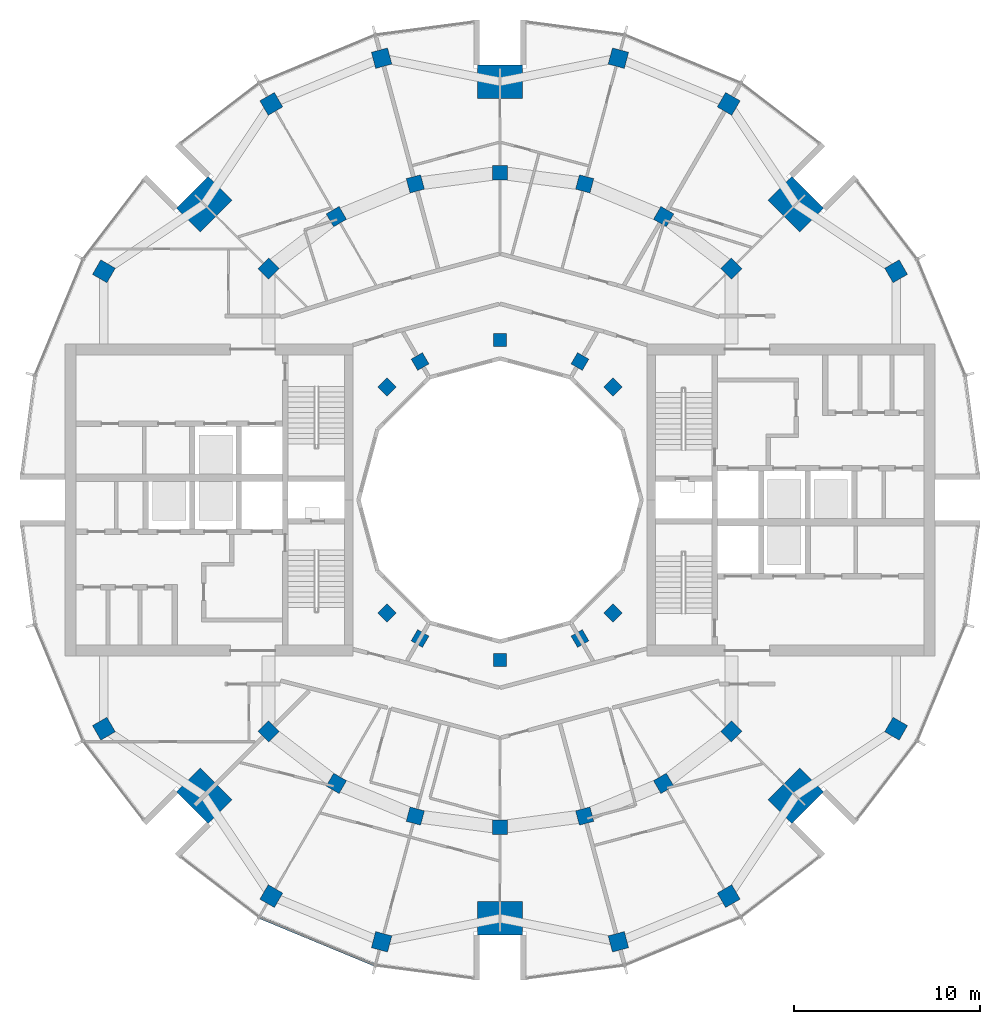
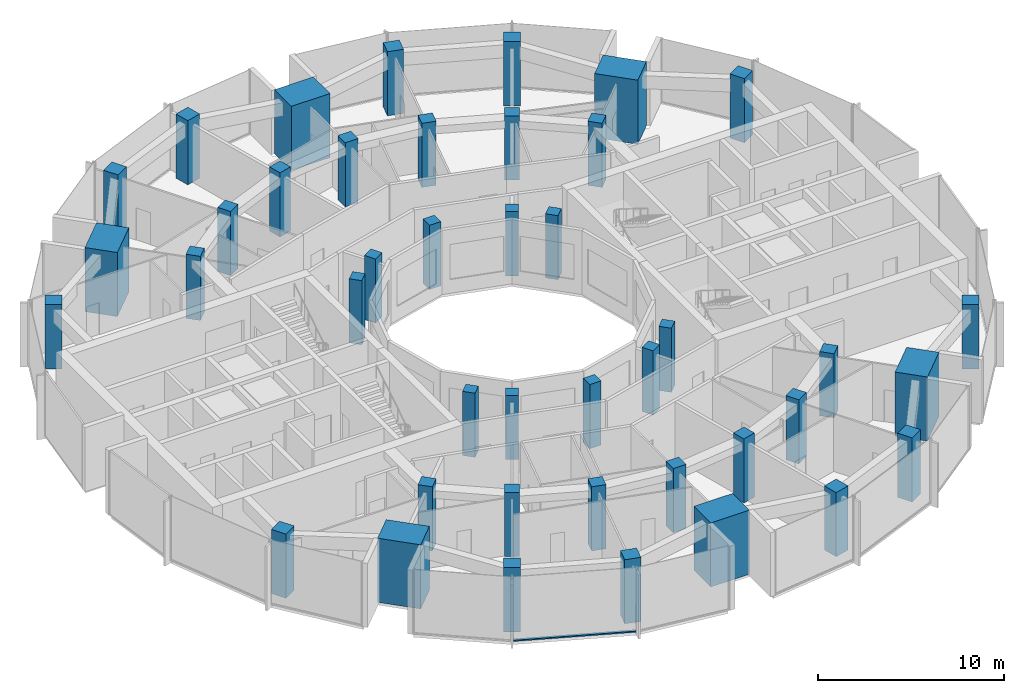
# One storey, part 1 of 15: 42 columns, 1 member, 1 element without a shape of its own.
"""IFC4 building model written with IfcOpenShell, lengths in metres."""

from ifc_helpers import new_model, si_unit, direction, frame, origin, origin_2d, place, context, subcontext, project, spatial, rectangle, extrude, material, layer, layer_set, material_profile, profile_set, type_object, element, aggregate, save


model = new_model("IFC4")

# Units and contexts
model_context = context("Model", 3, precision=1e-05, world=origin(), true_north=direction((0.0, 1.0)))
body_context = subcontext(model_context, "Body", "Model", "MODEL_VIEW")
ifc_project = project(units=[si_unit("LENGTHUNIT", "METRE"), si_unit("AREAUNIT", "SQUARE_METRE"), si_unit("VOLUMEUNIT", "CUBIC_METRE"), si_unit("PLANEANGLEUNIT", "RADIAN"), si_unit("MASSUNIT", "GRAM", prefix="KILO")], contexts=[model_context])

# Site, building, storey
site_placement = place(None, origin())
site = spatial("IfcSite", under=ifc_project, at=site_placement, CompositionType="ELEMENT")
building_placement = place(site_placement, origin())
building = spatial("IfcBuilding", under=site, at=building_placement, Name="Torre Brocal", CompositionType="ELEMENT")
storey_placement = place(building_placement, frame((0.0, 0.0, 249.89990234375)))
storey = spatial("IfcBuildingStorey", under=building, at=storey_placement, Name="L57", CompositionType="ELEMENT", Elevation=249.89990234375)

# Columns
ifc_material_1 = material(Name="Concrete C60", Category="concrete")
ifc_material_profile_1 = material_profile(ifc_material_1, rectangle(XDim=1.800048828125, YDim=2.39990234375, at=origin_2d()), Name="RC 1800X2400")
ifc_profile_set_1 = profile_set([ifc_material_profile_1], Name="Concrete C60")
column_type_1 = type_object("IfcColumnType", Name="RC COLUMN 1800X2400 C60", PredefinedType="COLUMN", material=ifc_profile_set_1)
for number, where, z_axis, x_axis, name in (
    (1, (95.909912109375, 90.909912109375, 0.0), (0.0, 0.0, 1.0), (0.707106781187, 0.707106781187, 0.0), "Column MC-1"),
    (2, (80.0, 97.5, 0.0), (0.0, 0.0, 1.0), (0.0, 1.0, 0.0), "Column MC-2"),
    (3, (64.090087890625, 90.909912109375, 0.0), (0.0, 0.0, 1.0), (-0.707106781187, 0.707106781187, 0.0), "Column MC-3"),
    (4, (64.090087890625, 59.090087890625, 0.0), (0.0, 0.0, 1.0), (-0.707106781187, -0.707106781187, 0.0), "Column MC-5"),
    (5, (80.0, 52.5, 0.0), (0.0, 0.0, 1.0), (0.0, -1.0, 0.0), "Column MC-6"),
    (6, (95.909912109375, 59.090087890625, 0.0), (0.0, 0.0, 1.0), (0.707106781187, -0.707106781187, 0.0), "Column MC-7"),
):
    element("IfcColumn", number, at=place(storey_placement, frame(where, z_axis=z_axis, x_axis=x_axis)), inside=storey, type_object=column_type_1, Name=name, PredefinedType="COLUMN", context=body_context, shape_type="SweptSolid", body=[
        extrude(rectangle(XDim=1.800048828125, YDim=2.39990234375, at=origin_2d()), origin(), (0.0, 0.0, 1.0), 4.2001953125),
    ])
ifc_material_2 = material(Name="Concrete C60", Category="concrete")
ifc_material_profile_2 = material_profile(ifc_material_2, rectangle(XDim=0.699951171875, YDim=0.699951171875, at=origin_2d()), Name="RC 700X700")
ifc_profile_set_2 = profile_set([ifc_material_profile_2], Name="Concrete C60")
column_type_2 = type_object("IfcColumnType", Name="RC COLUMN 700X700 C60", PredefinedType="COLUMN", material=ifc_profile_set_2)
for number, where, z_axis, x_axis, name in (
    (7, (86.0810546875, 81.0810546875, 0.0), (0.0, 0.0, 1.0), (0.707106781187, 0.707106781187, 0.0), "Column C-I03"),
    (8, (84.300048828125, 82.44775390625, 0.0), (0.0, 0.0, 1.0), (0.5, 0.866025403784, 0.0), "Column C-I04"),
    (9, (80.0, 83.60009765625, 0.0), (0.0, 0.0, 1.0), (0.0, 1.0, 0.0), "Column C-I06"),
    (10, (75.699951171875, 82.44775390625, 0.0), (0.0, 0.0, 1.0), (-0.5, 0.866025403784, 0.0), "Column C-I08"),
    (11, (73.9189453125, 81.0810546875, 0.0), (0.0, 0.0, 1.0), (-0.707106781187, 0.707106781187, 0.0), "Column C-I09"),
    (12, (73.9189453125, 68.9189453125, 0.0), (0.0, 0.0, 1.0), (-0.707106781187, -0.707106781187, 0.0), "Column C-I15"),
    (13, (75.699951171875, 67.55224609375, 0.0), (0.0, 0.0, 1.0), (-0.5, -0.866025403784, 0.0), "Column C-I16"),
    (14, (80.0, 66.39990234375, 0.0), (0.0, 0.0, 1.0), (0.0, -1.0, 0.0), "Column C-I18"),
    (15, (84.300048828125, 67.55224609375, 0.0), (0.0, 0.0, 1.0), (0.5, -0.866025403784, 0.0), "Column C-I20"),
    (16, (86.0810546875, 68.9189453125, 0.0), (0.0, 0.0, 1.0), (0.707106781187, -0.707106781187, 0.0), "Column C-I21"),
):
    element("IfcColumn", number, at=place(storey_placement, frame(where, z_axis=z_axis, x_axis=x_axis)), inside=storey, type_object=column_type_2, Name=name, PredefinedType="COLUMN", context=body_context, shape_type="SweptSolid", body=[
        extrude(rectangle(XDim=0.699951171875, YDim=0.699951171875, at=origin_2d()), origin(), (0.0, 0.0, 1.0), 4.2001953125),
    ])
ifc_material_3 = material(Name="Concrete C60", Category="concrete")
ifc_material_profile_3 = material_profile(ifc_material_3, rectangle(XDim=0.800048828125, YDim=0.800048828125, at=origin_2d()), Name="RC 800X800")
ifc_profile_set_3 = profile_set([ifc_material_profile_3], Name="Concrete C60")
column_type_3 = type_object("IfcColumnType", Name="RC COLUMN 800X800 C60", PredefinedType="COLUMN", material=ifc_profile_set_3)
for number, where, z_axis, x_axis, name in (
    (17, (92.445068359375, 87.445068359375, 0.0), (0.0, 0.0, 1.0), (0.707106781187, 0.707106781187, 0.0), "Column C-M03"),
    (18, (88.800048828125, 90.241943359375, 0.0), (0.0, 0.0, 1.0), (0.5, 0.866025403784, 0.0), "Column C-M04"),
    (19, (84.55517578125, 92.000244140625, 0.0), (0.0, 0.0, 1.0), (0.258819045103, 0.965925826289, 0.0), "Column C-M05"),
    (20, (80.0, 92.60009765625, 0.0), (0.0, 0.0, 1.0), (0.0, 1.0, 0.0), "Column C-M06"),
    (21, (75.44482421875, 92.000244140625, 0.0), (0.0, 0.0, 1.0), (-0.258819045103, 0.965925826289, 0.0), "Column C-M07"),
    (22, (71.199951171875, 90.241943359375, 0.0), (0.0, 0.0, 1.0), (-0.5, 0.866025403784, 0.0), "Column C-M08"),
    (23, (67.554931640625, 87.445068359375, 0.0), (0.0, 0.0, 1.0), (-0.707106781187, 0.707106781187, 0.0), "Column C-M09"),
    (24, (67.554931640625, 62.554931640625, 0.0), (0.0, 0.0, 1.0), (-0.707106781187, -0.707106781187, 0.0), "Column C-M15"),
    (25, (71.199951171875, 59.758056640625, 0.0), (0.0, 0.0, 1.0), (-0.5, -0.866025403784, 0.0), "Column C-M16"),
    (26, (75.44482421875, 57.999755859375, 0.0), (0.0, 0.0, 1.0), (-0.258819045103, -0.965925826289, 0.0), "Column C-M17"),
    (27, (80.0, 57.39990234375, 0.0), (0.0, 0.0, 1.0), (0.0, -1.0, 0.0), "Column C-M18"),
    (28, (84.55517578125, 57.999755859375, 0.0), (0.0, 0.0, 1.0), (0.258819045103, -0.965925826289, 0.0), "Column C-M19"),
    (29, (88.800048828125, 59.758056640625, 0.0), (0.0, 0.0, 1.0), (0.5, -0.866025403784, 0.0), "Column C-M20"),
    (30, (92.445068359375, 62.554931640625, 0.0), (0.0, 0.0, 1.0), (0.707106781187, -0.707106781187, 0.0), "Column C-M21"),
):
    element("IfcColumn", number, at=place(storey_placement, frame(where, z_axis=z_axis, x_axis=x_axis)), inside=storey, type_object=column_type_3, Name=name, PredefinedType="COLUMN", context=body_context, shape_type="SweptSolid", body=[
        extrude(rectangle(XDim=0.800048828125, YDim=0.800048828125, at=origin_2d()), origin(), (0.0, 0.0, 1.0), 4.2001953125),
    ])
ifc_material_4 = material(Name="Concrete C60", Category="concrete")
ifc_material_profile_4 = material_profile(ifc_material_4, rectangle(XDim=0.89990234375, YDim=0.89990234375, at=origin_2d()), Name="RC 900X900")
ifc_profile_set_4 = profile_set([ifc_material_profile_4], Name="Concrete C60")
column_type_4 = type_object("IfcColumnType", Name="RC COLUMN 900X900 C60", PredefinedType="COLUMN", material=ifc_profile_set_4)
for number, where, z_axis, x_axis, name in (
    (31, (101.30419921875, 87.300048828125, 0.0), (0.0, 0.0, 1.0), (0.866025403784, 0.5, 0.0), "Column C-O02"),
    (32, (92.300048828125, 96.30419921875, 0.0), (0.0, 0.0, 1.0), (0.5, 0.866025403784, 0.0), "Column C-O04"),
    (33, (86.366943359375, 98.76171875, 0.0), (0.0, 0.0, 1.0), (0.258819045103, 0.965925826289, 0.0), "Column C-O05"),
    (34, (73.633056640625, 98.76171875, 0.0), (0.0, 0.0, 1.0), (-0.258819045103, 0.965925826289, 0.0), "Column C-O07"),
    (35, (67.699951171875, 96.30419921875, 0.0), (0.0, 0.0, 1.0), (-0.5, 0.866025403784, 0.0), "Column C-O08"),
    (36, (58.69580078125, 87.300048828125, 0.0), (0.0, 0.0, 1.0), (-0.866025403784, 0.5, 0.0), "Column C-O10"),
    (37, (58.69580078125, 62.699951171875, 0.0), (0.0, 0.0, 1.0), (-0.866025403784, -0.5, 0.0), "Column C-O14"),
    (38, (67.699951171875, 53.69580078125, 0.0), (0.0, 0.0, 1.0), (-0.5, -0.866025403784, 0.0), "Column C-O16"),
    (39, (73.633056640625, 51.23828125, 0.0), (0.0, 0.0, 1.0), (-0.258819045103, -0.965925826289, 0.0), "Column C-O17"),
    (40, (86.366943359375, 51.23828125, 0.0), (0.0, 0.0, 1.0), (0.258819045103, -0.965925826289, 0.0), "Column C-O19"),
    (41, (92.300048828125, 53.69580078125, 0.0), (0.0, 0.0, 1.0), (0.5, -0.866025403784, 0.0), "Column C-O20"),
    (42, (101.30419921875, 62.699951171875, 0.0), (0.0, 0.0, 1.0), (0.866025403784, -0.5, 0.0), "Column C-O22"),
):
    element("IfcColumn", number, at=place(storey_placement, frame(where, z_axis=z_axis, x_axis=x_axis)), inside=storey, type_object=column_type_4, Name=name, PredefinedType="COLUMN", context=body_context, shape_type="SweptSolid", body=[
        extrude(rectangle(XDim=0.89990234375, YDim=0.89990234375, at=origin_2d()), origin(), (0.0, 0.0, 1.0), 4.2001953125),
    ])

# Curtain wall, member
ifc_material_5 = material(Name="Aluminium and glass", Category="aluminium")
ifc_layer = layer(ifc_material_5, 0.199951171875)
ifc_layer_set = layer_set([ifc_layer], Name="Aluminium and glass")
curtain_wall_type = type_object("IfcCurtainWallType", Name="CW-1 CURTAIN WALL 4200 HIGH", PredefinedType="NOTDEFINED", material=ifc_layer_set)
curtain_wall_placement = place(storey_placement, origin())
curtain_wall = element("IfcCurtainWall", 43, at=curtain_wall_placement, inside=storey, type_object=curtain_wall_type, Name="CW-1 RUN 17", PredefinedType="NOTDEFINED")
ifc_material_6 = material(Name="Aluminium, dark anodised", Category="aluminium")
ifc_material_profile_5 = material_profile(ifc_material_6, rectangle(XDim=0.159912109375, YDim=0.080078125, at=origin_2d()), Name="CW-1 TRANSOM 160X80")
ifc_profile_set_5 = profile_set([ifc_material_profile_5], Name="Aluminium, dark anodised")
member_type = type_object("IfcMemberType", Name="CW-1 TRANSOM 160X80", PredefinedType="USERDEFINED", material=ifc_profile_set_5)
member_placement = place(storey_placement, frame((67.10595703125, 52.547607421875, 0.0400390625), z_axis=(0.923887344364, -0.38266457234, 0.0), x_axis=(0.38266457234, 0.923887344364, 0.0)))
member = element("IfcMember", 44, at=member_placement, type_object=member_type, Name="CW1-5 transom 1.1", ObjectType="TRANSOM", PredefinedType="USERDEFINED", context=body_context, shape_type="SweptSolid", body=[
    extrude(rectangle(XDim=0.159912109375, YDim=0.080078125, at=origin_2d()), origin(), (0.0, 0.0, 1.0), 6.640869140625),
])
aggregate(curtain_wall, [member])

save(model, "model.ifc")
